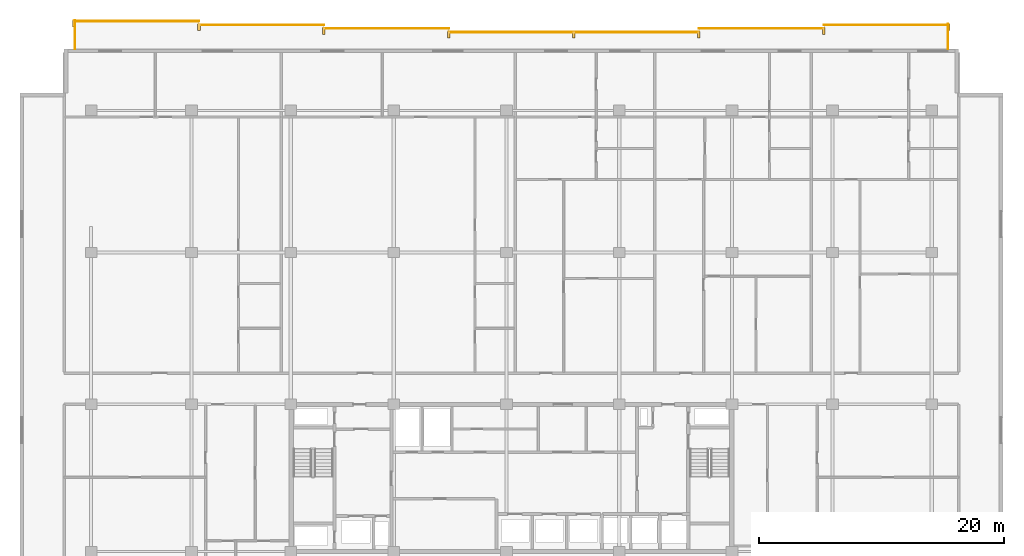
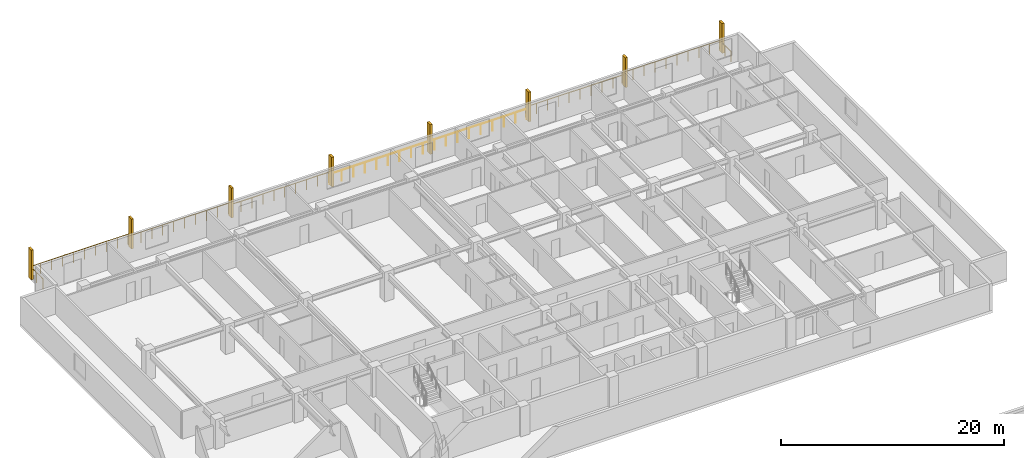
# One storey, part 21 of 21: 8 railings, 8 shading devices.
"""IFC4 building model written with IfcOpenShell, lengths in metres."""

from ifc_helpers import new_model, si_unit, direction, frame, origin, origin_2d, place, context, subcontext, project, spatial, rectangle, circle, extrude, material, type_object, element, save


model = new_model("IFC4")

# Units and contexts
model_context = context("Model", 3, precision=1e-05, world=origin(), true_north=direction((0.0, 1.0)))
body_context = subcontext(model_context, "Body", "Model", "MODEL_VIEW")
ifc_project = project(units=[si_unit("LENGTHUNIT", "METRE"), si_unit("AREAUNIT", "SQUARE_METRE"), si_unit("VOLUMEUNIT", "CUBIC_METRE"), si_unit("PLANEANGLEUNIT", "RADIAN"), si_unit("MASSUNIT", "GRAM", prefix="KILO")], contexts=[model_context])

# Site, building, storey
site_placement = place(None, origin())
site = spatial("IfcSite", under=ifc_project, at=site_placement, CompositionType="ELEMENT")
building_placement = place(site_placement, origin())
building = spatial("IfcBuilding", under=site, at=building_placement, Name="Korimba Cascade Residences", CompositionType="ELEMENT")
storey_placement = place(building_placement, frame((0.0, 0.0, 113.300048828125)))
storey = spatial("IfcBuildingStorey", under=building, at=storey_placement, Name="L32", CompositionType="ELEMENT", Elevation=113.300048828125)

# Railings
ifc_material_1 = material(Name="Laminated Glass and Bronze Balustrade", Category="glass")
railing_type = type_object("IfcRailingType", Name="RLG-LOG-1150", PredefinedType="BALUSTRADE", material=ifc_material_1)
railing_1_placement = place(storey_placement, frame((129.719970703125, 96.199951171875, 0.0)))
element("IfcRailing", 1, at=railing_1_placement, inside=storey, type_object=railing_type, Name="L32 Perimeter Guardrail RLG-L32-T1-LOG-01", PredefinedType="BALUSTRADE", context=body_context, shape_type="SweptSolid", body=[
    extrude(circle(Radius=0.02392578125, at=origin_2d()), frame((0.0, 0.0, 1.1259765625), z_axis=(0.0, 1.0, 0.0), x_axis=(-1.0, 0.0, 0.0)), (0.0, 0.0, 1.0), 2.050048828125),
    extrude(circle(Radius=0.02099609375, at=origin_2d()), origin(), (0.0, 0.0, 1.0), 1.101806640625),
    extrude(circle(Radius=0.02099609375, at=origin_2d()), frame((0.0, 1.02490234375, 0.0)), (0.0, 0.0, 1.0), 1.101806640625),
    extrude(circle(Radius=0.02099609375, at=origin_2d()), frame((0.0, 2.050048828125, 0.0)), (0.0, 0.0, 1.0), 1.101806640625),
])
railing_2_placement = place(storey_placement, frame((129.800048828125, 98.169921875, 0.0)))
element("IfcRailing", 2, at=railing_2_placement, inside=storey, type_object=railing_type, Name="L32 Perimeter Guardrail RLG-L32-T1-LOG-02", PredefinedType="BALUSTRADE", context=body_context, shape_type="SweptSolid", body=[
    extrude(circle(Radius=0.02392578125, at=origin_2d()), frame((0.0, 0.0, 1.1259765625), z_axis=(-1.0, 0.0, 0.0), x_axis=(0.0, -1.0, 0.0)), (0.0, 0.0, 1.0), 10.199951171875),
    extrude(circle(Radius=0.02099609375, at=origin_2d()), origin(), (0.0, 0.0, 1.0), 1.101806640625),
    extrude(circle(Radius=0.02099609375, at=origin_2d()), frame((-1.13330078125, 0.0, 0.0)), (0.0, 0.0, 1.0), 1.101806640625),
    extrude(circle(Radius=0.02099609375, at=origin_2d()), frame((-2.2666015625, 0.0, 0.0)), (0.0, 0.0, 1.0), 1.101806640625),
    extrude(circle(Radius=0.02099609375, at=origin_2d()), frame((-3.39990234375, 0.0, 0.0)), (0.0, 0.0, 1.0), 1.101806640625),
    extrude(circle(Radius=0.02099609375, at=origin_2d()), frame((-4.533203125, 0.0, 0.0)), (0.0, 0.0, 1.0), 1.101806640625),
    extrude(circle(Radius=0.02099609375, at=origin_2d()), frame((-5.666748046875, 0.0, 0.0)), (0.0, 0.0, 1.0), 1.101806640625),
    extrude(circle(Radius=0.02099609375, at=origin_2d()), frame((-6.800048828125, 0.0, 0.0)), (0.0, 0.0, 1.0), 1.101806640625),
    extrude(circle(Radius=0.02099609375, at=origin_2d()), frame((-7.933349609375, 0.0, 0.0)), (0.0, 0.0, 1.0), 1.101806640625),
    extrude(circle(Radius=0.02099609375, at=origin_2d()), frame((-9.066650390625, 0.0, 0.0)), (0.0, 0.0, 1.0), 1.101806640625),
    extrude(circle(Radius=0.02099609375, at=origin_2d()), frame((-10.199951171875, 0.0, 0.0)), (0.0, 0.0, 1.0), 1.101806640625),
])
railing_3_placement = place(storey_placement, frame((119.60009765625, 97.8701171875, 0.0)))
element("IfcRailing", 3, at=railing_3_placement, inside=storey, type_object=railing_type, Name="L32 Perimeter Guardrail RLG-L32-T1-LOG-03", PredefinedType="BALUSTRADE", context=body_context, shape_type="SweptSolid", body=[
    extrude(circle(Radius=0.02392578125, at=origin_2d()), frame((0.0, 0.0, 1.1259765625), z_axis=(-1.0, 0.0, 0.0), x_axis=(0.0, -1.0, 0.0)), (0.0, 0.0, 1.0), 10.2001953125),
    extrude(circle(Radius=0.02099609375, at=origin_2d()), origin(), (0.0, 0.0, 1.0), 1.101806640625),
    extrude(circle(Radius=0.02099609375, at=origin_2d()), frame((-1.13330078125, 0.0, 0.0)), (0.0, 0.0, 1.0), 1.101806640625),
    extrude(circle(Radius=0.02099609375, at=origin_2d()), frame((-2.2666015625, 0.0, 0.0)), (0.0, 0.0, 1.0), 1.101806640625),
    extrude(circle(Radius=0.02099609375, at=origin_2d()), frame((-3.400146484375, 0.0, 0.0)), (0.0, 0.0, 1.0), 1.101806640625),
    extrude(circle(Radius=0.02099609375, at=origin_2d()), frame((-4.533447265625, 0.0, 0.0)), (0.0, 0.0, 1.0), 1.101806640625),
    extrude(circle(Radius=0.02099609375, at=origin_2d()), frame((-5.666748046875, 0.0, 0.0)), (0.0, 0.0, 1.0), 1.101806640625),
    extrude(circle(Radius=0.02099609375, at=origin_2d()), frame((-6.800048828125, 0.0, 0.0)), (0.0, 0.0, 1.0), 1.101806640625),
    extrude(circle(Radius=0.02099609375, at=origin_2d()), frame((-7.93359375, 0.0, 0.0)), (0.0, 0.0, 1.0), 1.101806640625),
    extrude(circle(Radius=0.02099609375, at=origin_2d()), frame((-9.06689453125, 0.0, 0.0)), (0.0, 0.0, 1.0), 1.101806640625),
    extrude(circle(Radius=0.02099609375, at=origin_2d()), frame((-10.2001953125, 0.0, 0.0)), (0.0, 0.0, 1.0), 1.101806640625),
])
railing_4_placement = place(storey_placement, frame((109.39990234375, 97.570068359375, 0.0)))
element("IfcRailing", 4, at=railing_4_placement, inside=storey, type_object=railing_type, Name="L32 Perimeter Guardrail RLG-L32-T1-LOG-04", PredefinedType="BALUSTRADE", context=body_context, shape_type="SweptSolid", body=[
    extrude(circle(Radius=0.02392578125, at=origin_2d()), frame((0.0, 0.0, 1.1259765625), z_axis=(-1.0, 0.0, 0.0), x_axis=(0.0, -1.0, 0.0)), (0.0, 0.0, 1.0), 20.39990234375),
    extrude(circle(Radius=0.02099609375, at=origin_2d()), origin(), (0.0, 0.0, 1.0), 1.101806640625),
    extrude(circle(Radius=0.02099609375, at=origin_2d()), frame((-1.199951171875, 0.0, 0.0)), (0.0, 0.0, 1.0), 1.101806640625),
    extrude(circle(Radius=0.02099609375, at=origin_2d()), frame((-2.39990234375, 0.0, 0.0)), (0.0, 0.0, 1.0), 1.101806640625),
    extrude(circle(Radius=0.02099609375, at=origin_2d()), frame((-3.60009765625, 0.0, 0.0)), (0.0, 0.0, 1.0), 1.101806640625),
    extrude(circle(Radius=0.02099609375, at=origin_2d()), frame((-4.800048828125, 0.0, 0.0)), (0.0, 0.0, 1.0), 1.101806640625),
    extrude(circle(Radius=0.02099609375, at=origin_2d()), frame((-6.0, 0.0, 0.0)), (0.0, 0.0, 1.0), 1.101806640625),
    extrude(circle(Radius=0.02099609375, at=origin_2d()), frame((-7.199951171875, 0.0, 0.0)), (0.0, 0.0, 1.0), 1.101806640625),
    extrude(circle(Radius=0.02099609375, at=origin_2d()), frame((-8.39990234375, 0.0, 0.0)), (0.0, 0.0, 1.0), 1.101806640625),
    extrude(circle(Radius=0.02099609375, at=origin_2d()), frame((-9.599853515625, 0.0, 0.0)), (0.0, 0.0, 1.0), 1.101806640625),
    extrude(circle(Radius=0.02099609375, at=origin_2d()), frame((-10.800048828125, 0.0, 0.0)), (0.0, 0.0, 1.0), 1.101806640625),
    extrude(circle(Radius=0.02099609375, at=origin_2d()), frame((-12.0, 0.0, 0.0)), (0.0, 0.0, 1.0), 1.101806640625),
    extrude(circle(Radius=0.02099609375, at=origin_2d()), frame((-13.199951171875, 0.0, 0.0)), (0.0, 0.0, 1.0), 1.101806640625),
    extrude(circle(Radius=0.02099609375, at=origin_2d()), frame((-14.39990234375, 0.0, 0.0)), (0.0, 0.0, 1.0), 1.101806640625),
    extrude(circle(Radius=0.02099609375, at=origin_2d()), frame((-15.599853515625, 0.0, 0.0)), (0.0, 0.0, 1.0), 1.101806640625),
    extrude(circle(Radius=0.02099609375, at=origin_2d()), frame((-16.7998046875, 0.0, 0.0)), (0.0, 0.0, 1.0), 1.101806640625),
    extrude(circle(Radius=0.02099609375, at=origin_2d()), frame((-18.0, 0.0, 0.0)), (0.0, 0.0, 1.0), 1.101806640625),
    extrude(circle(Radius=0.02099609375, at=origin_2d()), frame((-19.199951171875, 0.0, 0.0)), (0.0, 0.0, 1.0), 1.101806640625),
    extrude(circle(Radius=0.02099609375, at=origin_2d()), frame((-20.39990234375, 0.0, 0.0)), (0.0, 0.0, 1.0), 1.101806640625),
])
for number, where, name in (
    (5, (89.0, 97.8701171875, 0.0), "L32 Perimeter Guardrail RLG-L32-T1-LOG-05"),
    (6, (78.800048828125, 98.169921875, 0.0), "L32 Perimeter Guardrail RLG-L32-T1-LOG-06"),
):
    element("IfcRailing", number, at=place(storey_placement, frame(where)), inside=storey, type_object=railing_type, Name=name, PredefinedType="BALUSTRADE", context=body_context, shape_type="SweptSolid", body=[
        extrude(circle(Radius=0.02392578125, at=origin_2d()), frame((0.0, 0.0, 1.1259765625), z_axis=(-1.0, 0.0, 0.0), x_axis=(0.0, -1.0, 0.0)), (0.0, 0.0, 1.0), 10.199951171875),
        extrude(circle(Radius=0.02099609375, at=origin_2d()), origin(), (0.0, 0.0, 1.0), 1.101806640625),
        extrude(circle(Radius=0.02099609375, at=origin_2d()), frame((-1.13330078125, 0.0, 0.0)), (0.0, 0.0, 1.0), 1.101806640625),
        extrude(circle(Radius=0.02099609375, at=origin_2d()), frame((-2.2666015625, 0.0, 0.0)), (0.0, 0.0, 1.0), 1.101806640625),
        extrude(circle(Radius=0.02099609375, at=origin_2d()), frame((-3.39990234375, 0.0, 0.0)), (0.0, 0.0, 1.0), 1.101806640625),
        extrude(circle(Radius=0.02099609375, at=origin_2d()), frame((-4.533203125, 0.0, 0.0)), (0.0, 0.0, 1.0), 1.101806640625),
        extrude(circle(Radius=0.02099609375, at=origin_2d()), frame((-5.666748046875, 0.0, 0.0)), (0.0, 0.0, 1.0), 1.101806640625),
        extrude(circle(Radius=0.02099609375, at=origin_2d()), frame((-6.800048828125, 0.0, 0.0)), (0.0, 0.0, 1.0), 1.101806640625),
        extrude(circle(Radius=0.02099609375, at=origin_2d()), frame((-7.933349609375, 0.0, 0.0)), (0.0, 0.0, 1.0), 1.101806640625),
        extrude(circle(Radius=0.02099609375, at=origin_2d()), frame((-9.066650390625, 0.0, 0.0)), (0.0, 0.0, 1.0), 1.101806640625),
        extrude(circle(Radius=0.02099609375, at=origin_2d()), frame((-10.199951171875, 0.0, 0.0)), (0.0, 0.0, 1.0), 1.101806640625),
    ])
railing_5_placement = place(storey_placement, frame((68.60009765625, 98.469970703125, 0.0)))
element("IfcRailing", 7, at=railing_5_placement, inside=storey, type_object=railing_type, Name="L32 Perimeter Guardrail RLG-L32-T1-LOG-07", PredefinedType="BALUSTRADE", context=body_context, shape_type="SweptSolid", body=[
    extrude(circle(Radius=0.02392578125, at=origin_2d()), frame((0.0, 0.0, 1.1259765625), z_axis=(-1.0, 0.0, 0.0), x_axis=(0.0, -1.0, 0.0)), (0.0, 0.0, 1.0), 10.2001953125),
    extrude(circle(Radius=0.02099609375, at=origin_2d()), origin(), (0.0, 0.0, 1.0), 1.101806640625),
    extrude(circle(Radius=0.02099609375, at=origin_2d()), frame((-1.13330078125, 0.0, 0.0)), (0.0, 0.0, 1.0), 1.101806640625),
    extrude(circle(Radius=0.02099609375, at=origin_2d()), frame((-2.2666015625, 0.0, 0.0)), (0.0, 0.0, 1.0), 1.101806640625),
    extrude(circle(Radius=0.02099609375, at=origin_2d()), frame((-3.400146484375, 0.0, 0.0)), (0.0, 0.0, 1.0), 1.101806640625),
    extrude(circle(Radius=0.02099609375, at=origin_2d()), frame((-4.533447265625, 0.0, 0.0)), (0.0, 0.0, 1.0), 1.101806640625),
    extrude(circle(Radius=0.02099609375, at=origin_2d()), frame((-5.666748046875, 0.0, 0.0)), (0.0, 0.0, 1.0), 1.101806640625),
    extrude(circle(Radius=0.02099609375, at=origin_2d()), frame((-6.800048828125, 0.0, 0.0)), (0.0, 0.0, 1.0), 1.101806640625),
    extrude(circle(Radius=0.02099609375, at=origin_2d()), frame((-7.93359375, 0.0, 0.0)), (0.0, 0.0, 1.0), 1.101806640625),
    extrude(circle(Radius=0.02099609375, at=origin_2d()), frame((-9.06689453125, 0.0, 0.0)), (0.0, 0.0, 1.0), 1.101806640625),
    extrude(circle(Radius=0.02099609375, at=origin_2d()), frame((-10.2001953125, 0.0, 0.0)), (0.0, 0.0, 1.0), 1.101806640625),
])
railing_6_placement = place(storey_placement, frame((58.47998046875, 98.550048828125, 0.0)))
element("IfcRailing", 8, at=railing_6_placement, inside=storey, type_object=railing_type, Name="L32 Perimeter Guardrail RLG-L32-T1-LOG-08", PredefinedType="BALUSTRADE", context=body_context, shape_type="SweptSolid", body=[
    extrude(circle(Radius=0.02392578125, at=origin_2d()), frame((0.0, 0.0, 1.1259765625), z_axis=(0.0, -1.0, 0.0), x_axis=(1.0, 0.0, 0.0)), (0.0, 0.0, 1.0), 2.35009765625),
    extrude(circle(Radius=0.02099609375, at=origin_2d()), origin(), (0.0, 0.0, 1.0), 1.101806640625),
    extrude(circle(Radius=0.02099609375, at=origin_2d()), frame((0.0, -1.175048828125, 0.0)), (0.0, 0.0, 1.0), 1.101806640625),
    extrude(circle(Radius=0.02099609375, at=origin_2d()), frame((0.0, -2.35009765625, 0.0)), (0.0, 0.0, 1.0), 1.101806640625),
])

# Shading devices
ifc_material_2 = material(Name="Honed Sandstone Precast Fin", Category="masonry")
shading_device_type = type_object("IfcShadingDeviceType", Name="SHD-FIN-550", PredefinedType="USERDEFINED", material=ifc_material_2)
for number, where, z_axis, x_axis, name in (
    (9, (58.39990234375, 98.27490234375, 0.0), (0.0, 0.0, 1.0), (1.0, 0.0, 0.0), "L32 T1 Warm-Stone Loggia Fin 1"),
    (10, (68.60009765625, 97.97509765625, 0.0), (0.0, 0.0, 1.0), (1.0, 0.0, 0.0), "L32 T1 Warm-Stone Loggia Fin 2"),
    (11, (78.800048828125, 97.675048828125, 0.0), (0.0, 0.0, 1.0), (1.0, 0.0, 0.0), "L32 T1 Warm-Stone Loggia Fin 3"),
    (12, (89.0, 97.375, 0.0), (0.0, 0.0, 1.0), (1.0, 0.0, 0.0), "L32 T1 Warm-Stone Loggia Fin 4"),
    (13, (99.199951171875, 97.375, 0.0), (0.0, 0.0, 1.0), (1.0, 0.0, 0.0), "L32 T1 Warm-Stone Loggia Fin 5"),
    (14, (109.39990234375, 97.375, 0.0), (0.0, 0.0, 1.0), (1.0, 0.0, 0.0), "L32 T1 Warm-Stone Loggia Fin 6"),
    (15, (119.60009765625, 97.675048828125, 0.0), (0.0, 0.0, 1.0), (1.0, 0.0, 0.0), "L32 T1 Warm-Stone Loggia Fin 7"),
    (16, (129.800048828125, 97.97509765625, 0.0), (0.0, 0.0, 1.0), (1.0, 0.0, 0.0), "L32 T1 Warm-Stone Loggia Fin 8"),
):
    element("IfcShadingDevice", number, at=place(storey_placement, frame(where, z_axis=z_axis, x_axis=x_axis)), inside=storey, type_object=shading_device_type, Name=name, ObjectType="FIN", PredefinedType="USERDEFINED", context=body_context, shape_type="SweptSolid", body=[
        extrude(rectangle(XDim=0.219970703125, YDim=0.550048828125, at=origin_2d()), origin(), (0.0, 0.0, 1.0), 3.25),
    ])

save(model, "model.ifc")
